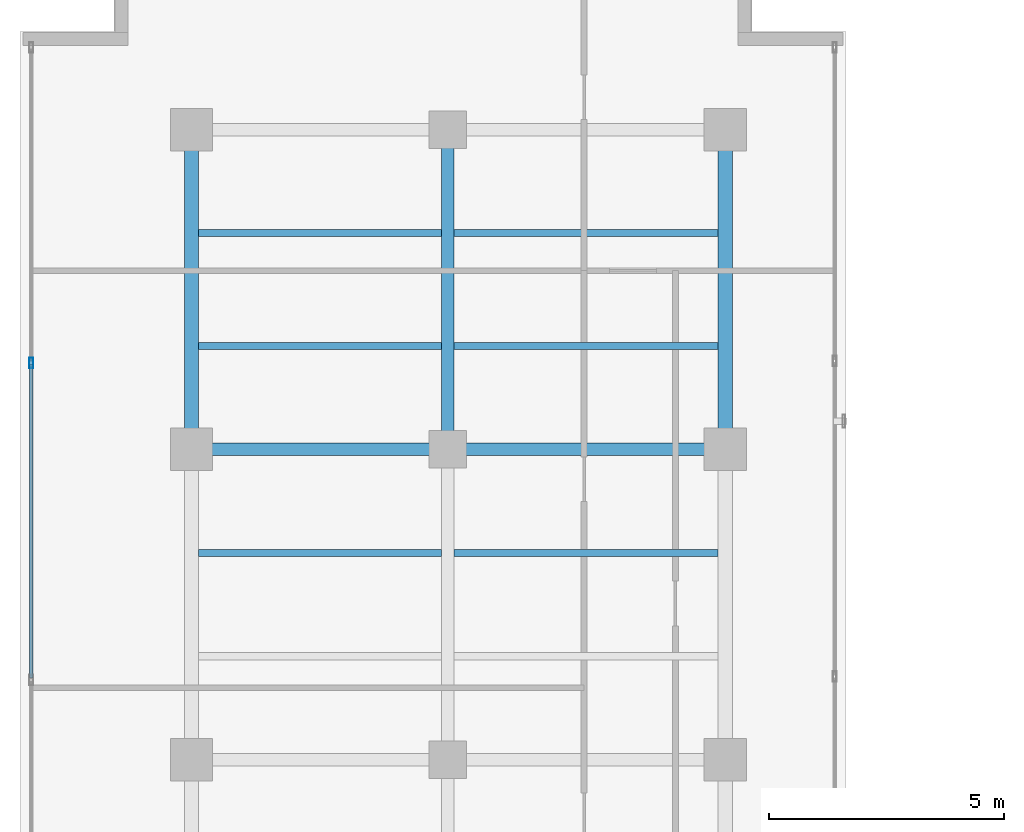
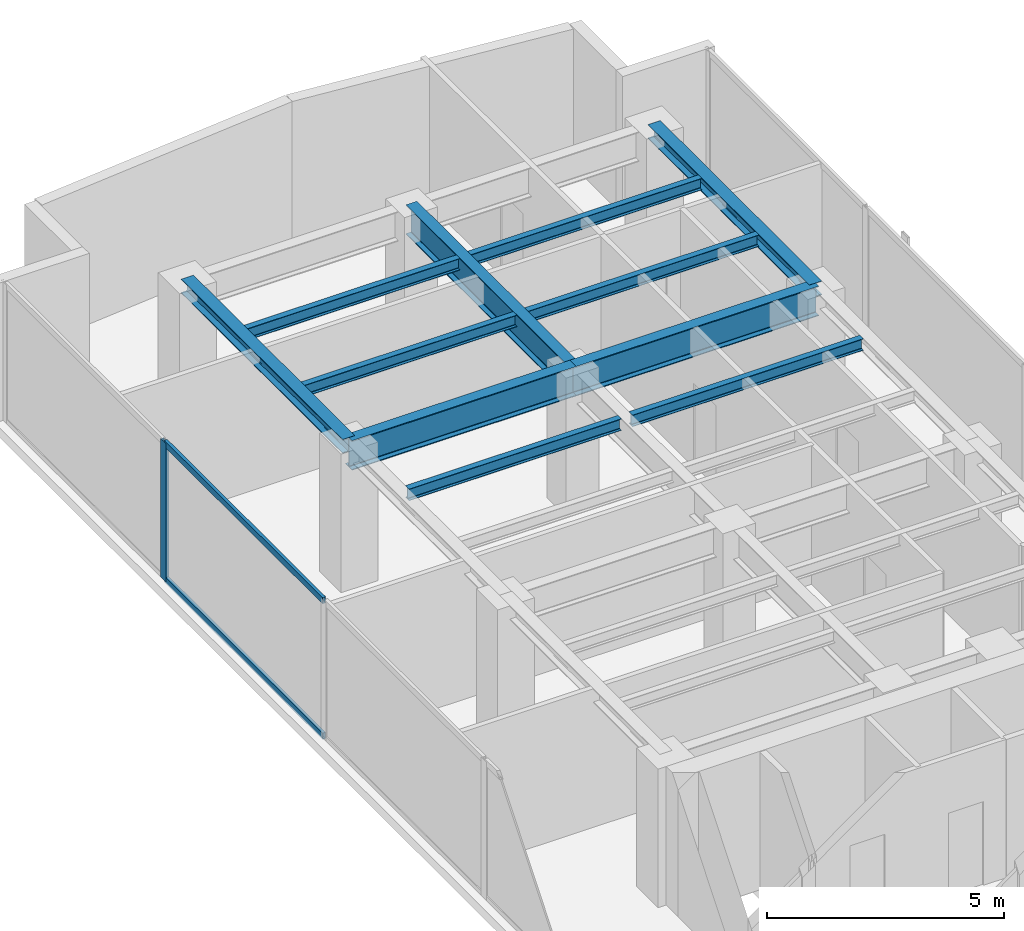
# One storey, part 12 of 22: 11 beams, 3 members, 1 element without a shape of its own.
"""IFC4 building model written with IfcOpenShell, lengths in metres."""

from ifc_helpers import new_model, si_unit, direction, frame, origin, origin_with_axes, origin_2d, place, context, subcontext, project, spatial, hollow_rectangle, i_section, extrude, source, transform, mapped, material, layer, layer_set, material_profile, profile_set, type_object, element, aggregate, save


model = new_model("IFC4")

# Units and contexts
model_context = context("Model", 3, precision=1e-05, world=origin(), true_north=direction((0.0, 1.0)))
body_context = subcontext(model_context, "Body", "Model", "MODEL_VIEW")
ifc_project = project(units=[si_unit("LENGTHUNIT", "METRE"), si_unit("AREAUNIT", "SQUARE_METRE"), si_unit("VOLUMEUNIT", "CUBIC_METRE"), si_unit("PLANEANGLEUNIT", "RADIAN"), si_unit("MASSUNIT", "GRAM", prefix="KILO")], contexts=[model_context])

# Site, building, storey
site_placement = place(None, origin())
site = spatial("IfcSite", under=ifc_project, at=site_placement, CompositionType="ELEMENT")
building_placement = place(site_placement, origin())
building = spatial("IfcBuilding", under=site, at=building_placement, Name="Kolvaren Waterfront Exchange", CompositionType="ELEMENT")
storey_placement = place(building_placement, frame((0.0, 0.0, 274.199951171875)))
storey = spatial("IfcBuildingStorey", under=building, at=storey_placement, Name="L70", CompositionType="ELEMENT", Elevation=274.199951171875)

# Beams
ifc_material_1 = material(Name="Steel S355", Category="steel")
ifc_material_profile_1 = material_profile(ifc_material_1, i_section(OverallWidth=0.300048828125, OverallDepth=0.360107421875, WebThickness=0.012451171875, FlangeThickness=0.0224609375, FilletRadius=0.027099609375, at=origin_2d()), Name="HEB360")
ifc_profile_set_1 = profile_set([ifc_material_profile_1], Name="Steel S355")
beam_type_1 = type_object("IfcBeamType", Name="STR-BM-HEB360", PredefinedType="SPANDREL", material=ifc_profile_set_1)
for number, where, z_axis, x_axis, name in (
    (1, (7.449951171875, 37.800048828125, 3.380126953125), (0.0, 1.0, 0.0), (-1.0, 0.0, 0.0), "L70 north-arm edge beam 3"),
    (2, (18.800048828125, 37.800048828125, 3.380126953125), (0.0, 1.0, 0.0), (-1.0, 0.0, 0.0), "L70 north-arm edge beam 3"),
):
    element("IfcBeam", number, at=place(storey_placement, frame(where, z_axis=z_axis, x_axis=x_axis)), inside=storey, type_object=beam_type_1, Name=name, PredefinedType="SPANDREL", context=body_context, shape_type="SweptSolid", body=[
        extrude(i_section(OverallWidth=0.300048828125, OverallDepth=0.360107421875, WebThickness=0.012451171875, FlangeThickness=0.0224609375, FilletRadius=0.027099609375, at=origin_2d()), origin(), (0.0, 0.0, 1.0), 6.800048828125),
    ])
ifc_material_profile_2 = material_profile(ifc_material_1, i_section(OverallWidth=0.14990234375, OverallDepth=0.300048828125, WebThickness=0.007080078125, FlangeThickness=0.0107421875, FilletRadius=0.014892578125, at=origin_2d()), Name="IPE300")
ifc_profile_set_2 = profile_set([ifc_material_profile_2], Name="Steel S355")
beam_type_2 = type_object("IfcBeamType", Name="STR-BM-IPE300", PredefinedType="JOIST", material=ifc_profile_set_2)
beam_1_placement = place(storey_placement, frame((7.60205078125, 35.60009765625, 3.41015625), z_axis=(1.0, 0.0, 0.0), x_axis=(0.0, 1.0, 0.0)))
element("IfcBeam", 3, at=beam_1_placement, inside=storey, type_object=beam_type_2, Name="L70 north-arm composite joist 4A", PredefinedType="JOIST", context=body_context, shape_type="SweptSolid", body=[
    extrude(i_section(OverallWidth=0.14990234375, OverallDepth=0.300048828125, WebThickness=0.007080078125, FlangeThickness=0.0107421875, FilletRadius=0.014892578125, at=origin_2d()), origin(), (0.0, 0.0, 1.0), 5.162353515625),
])
beam_2_placement = place(storey_placement, frame((13.035400390625, 35.60009765625, 3.41015625), z_axis=(1.0, 0.0, 0.0), x_axis=(0.0, 1.0, 0.0)))
element("IfcBeam", 4, at=beam_2_placement, inside=storey, type_object=beam_type_2, Name="L70 north-arm composite joist 4B", PredefinedType="JOIST", context=body_context, shape_type="SweptSolid", body=[
    extrude(i_section(OverallWidth=0.14990234375, OverallDepth=0.300048828125, WebThickness=0.007080078125, FlangeThickness=0.0107421875, FilletRadius=0.014892578125, at=origin_2d()), origin(), (0.0, 0.0, 1.0), 5.612548828125),
])
beam_3_placement = place(storey_placement, frame((7.60205078125, 40.0, 3.41015625), z_axis=(1.0, 0.0, 0.0), x_axis=(0.0, 1.0, 0.0)))
element("IfcBeam", 5, at=beam_3_placement, inside=storey, type_object=beam_type_2, Name="L70 north-arm composite joist 5A", PredefinedType="JOIST", context=body_context, shape_type="SweptSolid", body=[
    extrude(i_section(OverallWidth=0.14990234375, OverallDepth=0.300048828125, WebThickness=0.007080078125, FlangeThickness=0.0107421875, FilletRadius=0.014892578125, at=origin_2d()), origin(), (0.0, 0.0, 1.0), 5.162353515625),
])
beam_4_placement = place(storey_placement, frame((13.035400390625, 40.0, 3.41015625), z_axis=(1.0, 0.0, 0.0), x_axis=(0.0, 1.0, 0.0)))
element("IfcBeam", 6, at=beam_4_placement, inside=storey, type_object=beam_type_2, Name="L70 north-arm composite joist 5B", PredefinedType="JOIST", context=body_context, shape_type="SweptSolid", body=[
    extrude(i_section(OverallWidth=0.14990234375, OverallDepth=0.300048828125, WebThickness=0.007080078125, FlangeThickness=0.0107421875, FilletRadius=0.014892578125, at=origin_2d()), origin(), (0.0, 0.0, 1.0), 5.612548828125),
])
beam_5_placement = place(storey_placement, frame((7.60205078125, 42.39990234375, 3.41015625), z_axis=(1.0, 0.0, 0.0), x_axis=(0.0, 1.0, 0.0)))
element("IfcBeam", 7, at=beam_5_placement, inside=storey, type_object=beam_type_2, Name="L70 north-arm composite joist 6A", PredefinedType="JOIST", context=body_context, shape_type="SweptSolid", body=[
    extrude(i_section(OverallWidth=0.14990234375, OverallDepth=0.300048828125, WebThickness=0.007080078125, FlangeThickness=0.0107421875, FilletRadius=0.014892578125, at=origin_2d()), origin(), (0.0, 0.0, 1.0), 5.162353515625),
])
beam_6_placement = place(storey_placement, frame((13.035400390625, 42.39990234375, 3.41015625), z_axis=(1.0, 0.0, 0.0), x_axis=(0.0, 1.0, 0.0)))
element("IfcBeam", 8, at=beam_6_placement, inside=storey, type_object=beam_type_2, Name="L70 north-arm composite joist 6B", PredefinedType="JOIST", context=body_context, shape_type="SweptSolid", body=[
    extrude(i_section(OverallWidth=0.14990234375, OverallDepth=0.300048828125, WebThickness=0.007080078125, FlangeThickness=0.0107421875, FilletRadius=0.014892578125, at=origin_2d()), origin(), (0.0, 0.0, 1.0), 5.612548828125),
])
ifc_material_profile_3 = material_profile(ifc_material_1, i_section(OverallWidth=0.26708984375, OverallDepth=0.761962890625, WebThickness=0.014404296875, FlangeThickness=0.021484375, FilletRadius=0.01708984375, at=origin_2d()), Name="IPE750x173")
ifc_profile_set_3 = profile_set([ifc_material_profile_3], Name="Steel S355")
beam_type_3 = type_object("IfcBeamType", Name="STR-BM-IPE750", PredefinedType="BEAM", material=ifc_profile_set_3)
beam_7_placement = place(storey_placement, frame((7.449951171875, 37.800048828125, 3.178955078125), z_axis=(1.0, 0.0, 0.0), x_axis=(0.0, 1.0, 0.0)))
element("IfcBeam", 9, at=beam_7_placement, inside=storey, type_object=beam_type_3, Name="L70 north-arm girder 3A", PredefinedType="BEAM", context=body_context, shape_type="SweptSolid", body=[
    extrude(i_section(OverallWidth=0.26708984375, OverallDepth=0.761962890625, WebThickness=0.014404296875, FlangeThickness=0.021484375, FilletRadius=0.01708984375, at=origin_2d()), origin(), (0.0, 0.0, 1.0), 5.449951171875),
])
beam_8_placement = place(storey_placement, frame((12.89990234375, 37.800048828125, 3.178955078125), z_axis=(1.0, 0.0, 0.0), x_axis=(0.0, 1.0, 0.0)))
element("IfcBeam", 10, at=beam_8_placement, inside=storey, type_object=beam_type_3, Name="L70 north-arm girder 3B", PredefinedType="BEAM", context=body_context, shape_type="SweptSolid", body=[
    extrude(i_section(OverallWidth=0.26708984375, OverallDepth=0.761962890625, WebThickness=0.014404296875, FlangeThickness=0.021484375, FilletRadius=0.01708984375, at=origin_2d()), origin(), (0.0, 0.0, 1.0), 5.900146484375),
])
beam_9_placement = place(storey_placement, frame((12.89990234375, 37.800048828125, 3.178955078125), z_axis=(0.0, 1.0, 0.0), x_axis=(-1.0, 0.0, 0.0)))
element("IfcBeam", 11, at=beam_9_placement, inside=storey, type_object=beam_type_3, Name="L70 north-arm edge beam 3", PredefinedType="BEAM", context=body_context, shape_type="SweptSolid", body=[
    extrude(i_section(OverallWidth=0.26708984375, OverallDepth=0.761962890625, WebThickness=0.014404296875, FlangeThickness=0.021484375, FilletRadius=0.01708984375, at=origin_2d()), origin(), (0.0, 0.0, 1.0), 6.800048828125),
])

# Curtain wall, members
ifc_material_2 = material(Name="Anodised aluminium 6063-T6", Category="aluminium")
ifc_layer = layer(ifc_material_2, 0.219970703125, Name="Anodised aluminium 6063-T6")
ifc_layer_set = layer_set([ifc_layer], Name="Anodised aluminium 6063-T6")
curtain_wall_type = type_object("IfcCurtainWallType", Name="ARC-CW-SYS2", PredefinedType="USERDEFINED", material=ifc_layer_set)
curtain_wall_placement = place(storey_placement, origin())
curtain_wall = element("IfcCurtainWall", 12, at=curtain_wall_placement, inside=storey, type_object=curtain_wall_type, Name="L70 stick curtain wall CW2 (CW-L70-W)", ObjectType="STICK CURTAIN WALL", PredefinedType="USERDEFINED")
ifc_material_profile_4 = material_profile(ifc_material_2, hollow_rectangle(XDim=0.080078125, YDim=0.219970703125, WallThickness=0.0048828125, at=origin_2d()), Name="ALU-MUL-220x80x5")
ifc_profile_set_4 = profile_set([ifc_material_profile_4], Name="Anodised aluminium 6063-T6")
member_type_1 = type_object("IfcMemberType", Name="ARC-CWM-220", PredefinedType="MULLION", material=ifc_profile_set_4)
shared_shape_1 = source(origin_with_axes(), body_context, "Body", "SweptSolid", [
    extrude(hollow_rectangle(XDim=0.080078125, YDim=0.219970703125, WallThickness=0.0048828125, at=origin_2d()), origin(), (0.0, 0.0, 1.0), 3.56005859375),
])
member_1_placement = place(storey_placement, frame((4.0400390625, 39.641357421875, 0.0), z_axis=(0.0, 0.0, 1.0), x_axis=(-1.0, 0.0, 0.0)))
member_1 = element("IfcMember", 13, at=member_1_placement, type_object=member_type_1, Name="CW2 mullion 6", PredefinedType="MULLION", context=body_context, shape_type="MappedRepresentation", body=[
    mapped(shared_shape_1, transform((0.0, 0.0, 0.0), x_axis=(1.0, 0.0, 0.0), y_axis=(0.0, 1.0, 0.0), z_axis=(0.0, 0.0, 1.0), scale=1.0)),
])
ifc_material_profile_5 = material_profile(ifc_material_2, hollow_rectangle(XDim=0.074951171875, YDim=0.159912109375, WallThickness=0.00439453125, at=origin_2d()), Name="ALU-TRN-160x75x4.5")
ifc_profile_set_5 = profile_set([ifc_material_profile_5], Name="Anodised aluminium 6063-T6")
member_type_2 = type_object("IfcMemberType", Name="ARC-CWT-160", PredefinedType="USERDEFINED", material=ifc_profile_set_5)
shared_shape_2 = source(origin_with_axes(), body_context, "Body", "SweptSolid", [
    extrude(hollow_rectangle(XDim=0.074951171875, YDim=0.159912109375, WallThickness=0.00439453125, at=origin_2d()), origin(), (0.0, 0.0, 1.0), 6.668212890625),
])
member_2_placement = place(storey_placement, frame((4.0400390625, 32.93310546875, 0.03759765625), z_axis=(0.0, 1.0, 0.0), x_axis=(-1.0, 0.0, 0.0)))
member_2 = element("IfcMember", 14, at=member_2_placement, type_object=member_type_2, Name="CW2 transom 5.1", ObjectType="TRANSOM", PredefinedType="USERDEFINED", context=body_context, shape_type="MappedRepresentation", body=[
    mapped(shared_shape_2, transform((0.0, 0.0, 0.0), x_axis=(1.0, 0.0, 0.0), y_axis=(0.0, 1.0, 0.0), z_axis=(0.0, 0.0, 1.0), scale=1.0)),
])
member_3_placement = place(storey_placement, frame((4.0400390625, 32.93310546875, 3.5224609375), z_axis=(0.0, 1.0, 0.0), x_axis=(-1.0, 0.0, 0.0)))
member_3 = element("IfcMember", 15, at=member_3_placement, type_object=member_type_2, Name="CW2 transom 5.2", ObjectType="TRANSOM", PredefinedType="USERDEFINED", context=body_context, shape_type="MappedRepresentation", body=[
    mapped(shared_shape_2, transform((0.0, 0.0, 0.0), x_axis=(1.0, 0.0, 0.0), y_axis=(0.0, 1.0, 0.0), z_axis=(0.0, 0.0, 1.0), scale=1.0)),
])
aggregate(curtain_wall, [member_1, member_2, member_3])

save(model, "model.ifc")
